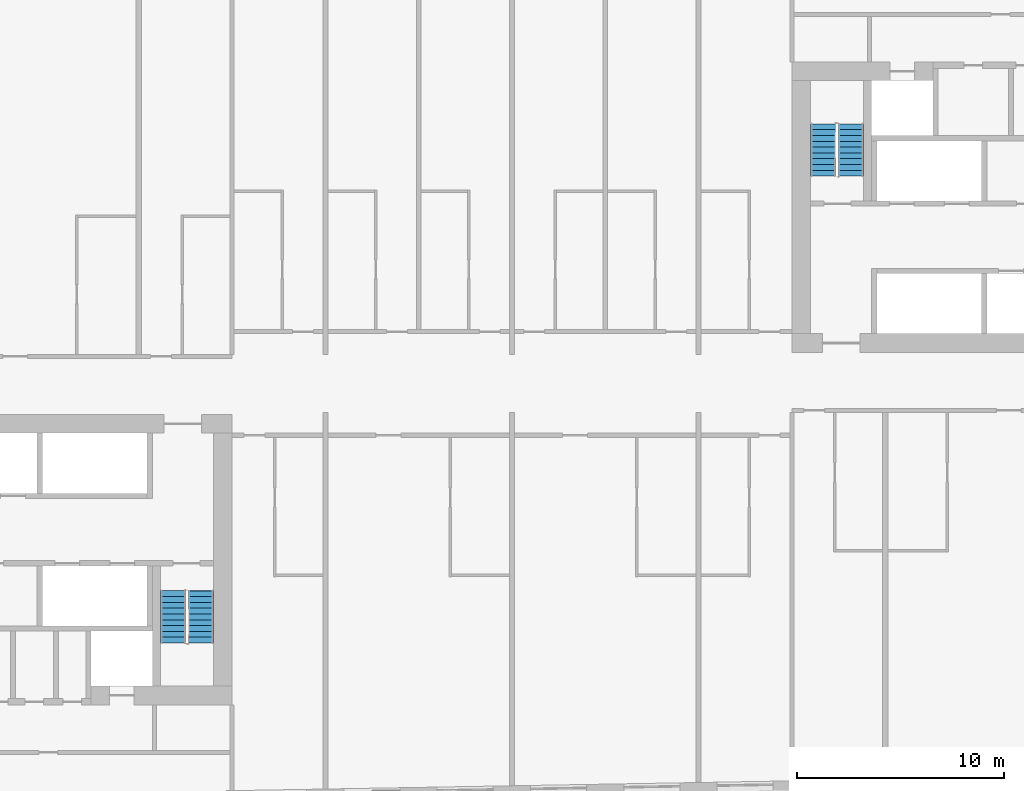
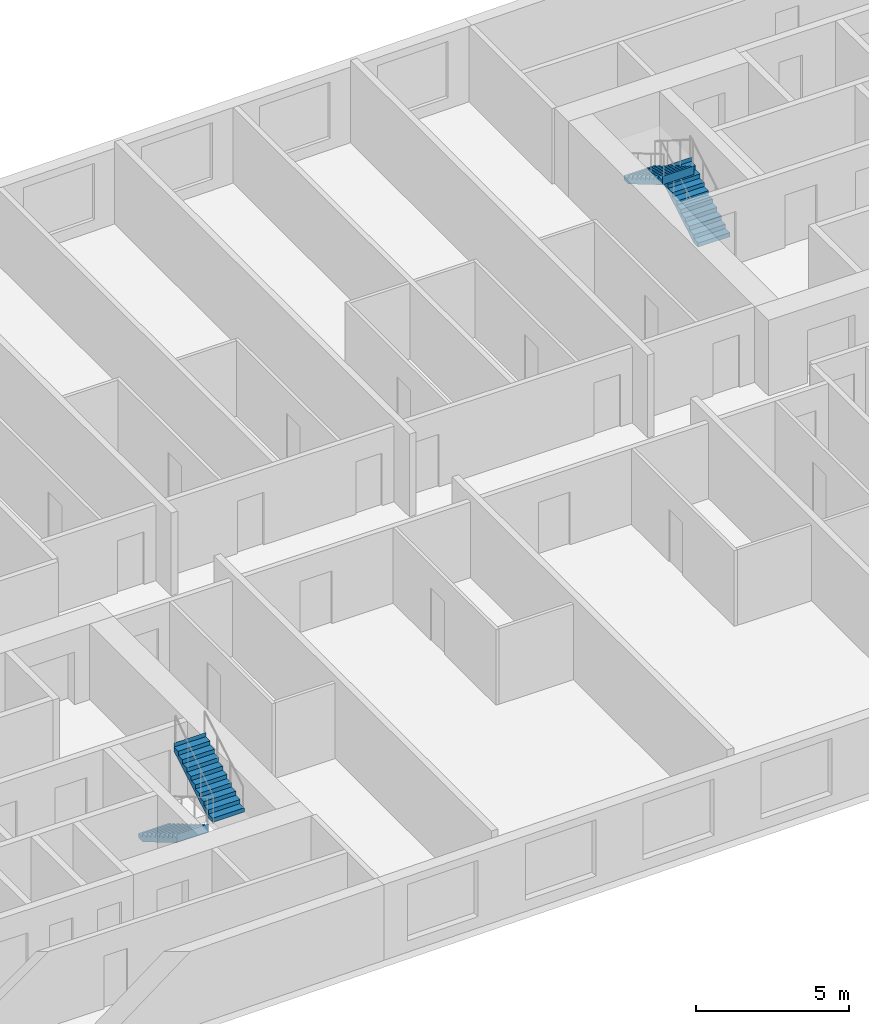
# One storey, part 9 of 11: 4 stair flights, 2 elements without a shape of their own.
"""IFC4 building model written with IfcOpenShell, lengths in metres."""

from ifc_helpers import new_model, si_unit, direction, frame, origin, place, context, subcontext, project, spatial, faceted_brep, material, type_object, element, aggregate, save


model = new_model("IFC4")

# Units and contexts
model_context = context("Model", 3, precision=1e-05, world=origin(), true_north=direction((0.0, 1.0)))
body_context = subcontext(model_context, "Body", "Model", "MODEL_VIEW")
ifc_project = project(units=[si_unit("LENGTHUNIT", "METRE"), si_unit("AREAUNIT", "SQUARE_METRE"), si_unit("VOLUMEUNIT", "CUBIC_METRE"), si_unit("PLANEANGLEUNIT", "RADIAN"), si_unit("MASSUNIT", "GRAM", prefix="KILO")], contexts=[model_context])

# Site, building, storey
site_placement = place(None, origin())
site = spatial("IfcSite", under=ifc_project, at=site_placement, CompositionType="ELEMENT")
building_placement = place(site_placement, origin())
building = spatial("IfcBuilding", under=site, at=building_placement, Name="Kajstack Hotel Tower", CompositionType="ELEMENT")
storey_placement = place(building_placement, frame((0.0, 0.0, 221.0)))
storey = spatial("IfcBuildingStorey", under=building, at=storey_placement, Name="L53", CompositionType="ELEMENT", Elevation=221.0)

# Stair, stair flights
ifc_material = material(Name="Concrete C40/50", Category="concrete")
stair_type = type_object("IfcStairType", Name="Exit stair 1200", PredefinedType="HALF_TURN_STAIR", material=ifc_material)
stair_1_placement = place(storey_placement, origin())
stair_1 = element("IfcStair", 1, at=stair_1_placement, inside=storey, type_object=stair_type, Name="L53 stair W2", PredefinedType="HALF_TURN_STAIR")
stair_flight_type = type_object("IfcStairFlightType", Name="Exit stair flight 1200", PredefinedType="STRAIGHT", material=ifc_material)
stair_flight_1_placement = place(storey_placement, frame((-16.35009765625, -10.0, 0.0), z_axis=(0.0, 0.0, 1.0), x_axis=(0.0, -1.0, 0.0)))
stair_flight_1 = element("IfcStairFlight", 2, at=stair_flight_1_placement, type_object=stair_flight_type, Name="W2 flight 1", NumberOfRisers=10, NumberOfTreads=9, PredefinedType="STRAIGHT", RiserHeight=0.165, TreadLength=0.28, context=body_context, shape_type="Brep", body=[
    faceted_brep([(0.295654296875, -0.60009765625, 0.0), (2.5205078125, -0.60009765625, 1.31103515625), (2.5205078125, -0.60009765625, 1.64990234375), (2.52001953125, -0.60009765625, 1.64990234375), (2.52001953125, -0.60009765625, 1.485107421875), (2.239990234375, -0.60009765625, 1.485107421875), (2.239990234375, -0.60009765625, 1.320068359375), (1.9599609375, -0.60009765625, 1.320068359375), (1.9599609375, -0.60009765625, 1.155029296875), (1.679931640625, -0.60009765625, 1.155029296875), (1.679931640625, -0.60009765625, 0.989990234375), (1.39990234375, -0.60009765625, 0.989990234375), (1.39990234375, -0.60009765625, 0.824951171875), (1.1201171875, -0.60009765625, 0.824951171875), (1.1201171875, -0.60009765625, 0.659912109375), (0.840087890625, -0.60009765625, 0.659912109375), (0.840087890625, -0.60009765625, 0.4951171875), (0.56005859375, -0.60009765625, 0.4951171875), (0.56005859375, -0.60009765625, 0.330078125), (0.280029296875, -0.60009765625, 0.330078125), (0.280029296875, -0.60009765625, 0.1650390625), (-0.00048828125, -0.60009765625, 0.1650390625), (-0.00048828125, -0.60009765625, 0.0), (-0.00048828125, 0.60009765625, 0.0), (-0.00048828125, 0.60009765625, 0.1650390625), (0.280029296875, 0.60009765625, 0.1650390625), (0.280029296875, 0.60009765625, 0.330078125), (0.56005859375, 0.60009765625, 0.330078125), (0.56005859375, 0.60009765625, 0.4951171875), (0.840087890625, 0.60009765625, 0.4951171875), (0.840087890625, 0.60009765625, 0.659912109375), (1.1201171875, 0.60009765625, 0.659912109375), (1.1201171875, 0.60009765625, 0.824951171875), (1.39990234375, 0.60009765625, 0.824951171875), (1.39990234375, 0.60009765625, 0.989990234375), (1.679931640625, 0.60009765625, 0.989990234375), (1.679931640625, 0.60009765625, 1.155029296875), (1.9599609375, 0.60009765625, 1.155029296875), (1.9599609375, 0.60009765625, 1.320068359375), (2.239990234375, 0.60009765625, 1.320068359375), (2.239990234375, 0.60009765625, 1.485107421875), (2.52001953125, 0.60009765625, 1.485107421875), (2.52001953125, 0.60009765625, 1.64990234375), (2.5205078125, 0.60009765625, 1.64990234375), (2.5205078125, 0.60009765625, 1.31103515625), (0.295654296875, 0.60009765625, 0.0), (-0.00048828125, -0.300048828125, 0.1650390625), (-0.00048828125, 0.0, 0.1650390625), (-0.00048828125, 0.300048828125, 0.1650390625), (-0.00048828125, 0.300048828125, 0.0), (-0.00048828125, 0.0, 0.0), (-0.00048828125, -0.300048828125, 0.0), (0.280029296875, -0.300048828125, 0.1650390625), (0.280029296875, 0.0, 0.1650390625), (0.280029296875, 0.300048828125, 0.1650390625), (0.280029296875, -0.300048828125, 0.330078125), (0.280029296875, 0.0, 0.330078125), (0.280029296875, 0.300048828125, 0.330078125), (0.56005859375, -0.300048828125, 0.330078125), (0.56005859375, 0.0, 0.330078125), (0.56005859375, 0.300048828125, 0.330078125), (0.56005859375, -0.300048828125, 0.4951171875), (0.56005859375, 0.0, 0.4951171875), (0.56005859375, 0.300048828125, 0.4951171875), (0.840087890625, -0.300048828125, 0.4951171875), (0.840087890625, 0.0, 0.4951171875), (0.840087890625, 0.300048828125, 0.4951171875), (0.840087890625, -0.300048828125, 0.659912109375), (0.840087890625, 0.0, 0.659912109375), (0.840087890625, 0.300048828125, 0.659912109375), (1.1201171875, -0.300048828125, 0.659912109375), (1.1201171875, 0.0, 0.659912109375), (1.1201171875, 0.300048828125, 0.659912109375), (1.1201171875, -0.300048828125, 0.824951171875), (1.1201171875, 0.0, 0.824951171875), (1.1201171875, 0.300048828125, 0.824951171875), (1.39990234375, -0.300048828125, 0.824951171875), (1.39990234375, 0.0, 0.824951171875), (1.39990234375, 0.300048828125, 0.824951171875), (1.39990234375, -0.300048828125, 0.989990234375), (1.39990234375, 0.0, 0.989990234375), (1.39990234375, 0.300048828125, 0.989990234375), (1.679931640625, -0.300048828125, 0.989990234375), (1.679931640625, 0.0, 0.989990234375), (1.679931640625, 0.300048828125, 0.989990234375), (1.679931640625, -0.300048828125, 1.155029296875), (1.679931640625, 0.0, 1.155029296875), (1.679931640625, 0.300048828125, 1.155029296875), (1.9599609375, -0.300048828125, 1.155029296875), (1.9599609375, 0.0, 1.155029296875), (1.9599609375, 0.300048828125, 1.155029296875), (1.9599609375, -0.300048828125, 1.320068359375), (1.9599609375, 0.0, 1.320068359375), (1.9599609375, 0.300048828125, 1.320068359375), (2.239990234375, -0.300048828125, 1.320068359375), (2.239990234375, 0.0, 1.320068359375), (2.239990234375, 0.300048828125, 1.320068359375), (2.239990234375, -0.300048828125, 1.485107421875), (2.239990234375, 0.0, 1.485107421875), (2.239990234375, 0.300048828125, 1.485107421875), (2.52001953125, -0.300048828125, 1.485107421875), (2.52001953125, 0.0, 1.485107421875), (2.52001953125, 0.300048828125, 1.485107421875), (2.52001953125, -0.300048828125, 1.64990234375), (2.52001953125, 0.0, 1.64990234375), (2.52001953125, 0.300048828125, 1.64990234375), (2.5205078125, -0.300048828125, 1.64990234375), (2.5205078125, 0.0, 1.64990234375), (2.5205078125, 0.300048828125, 1.64990234375), (2.5205078125, -0.300048828125, 1.31103515625), (2.5205078125, 0.0, 1.31103515625), (2.5205078125, 0.300048828125, 1.31103515625), (0.295654296875, -0.300048828125, 0.0), (0.295654296875, 0.0, 0.0), (0.295654296875, 0.300048828125, 0.0)], [[[0, 1, 2, 3, 4, 5, 6, 7, 8, 9, 10, 11, 12, 13, 14, 15, 16, 17, 18, 19, 20, 21, 22]], [[23, 24, 25, 26, 27, 28, 29, 30, 31, 32, 33, 34, 35, 36, 37, 38, 39, 40, 41, 42, 43, 44, 45]], [[21, 46, 47, 48, 24, 23, 49, 50, 51, 22]], [[20, 52, 53, 54, 25, 24, 48, 47, 46, 21]], [[19, 55, 56, 57, 26, 25, 54, 53, 52, 20]], [[18, 58, 59, 60, 27, 26, 57, 56, 55, 19]], [[17, 61, 62, 63, 28, 27, 60, 59, 58, 18]], [[16, 64, 65, 66, 29, 28, 63, 62, 61, 17]], [[15, 67, 68, 69, 30, 29, 66, 65, 64, 16]], [[14, 70, 71, 72, 31, 30, 69, 68, 67, 15]], [[13, 73, 74, 75, 32, 31, 72, 71, 70, 14]], [[12, 76, 77, 78, 33, 32, 75, 74, 73, 13]], [[11, 79, 80, 81, 34, 33, 78, 77, 76, 12]], [[10, 82, 83, 84, 35, 34, 81, 80, 79, 11]], [[9, 85, 86, 87, 36, 35, 84, 83, 82, 10]], [[8, 88, 89, 90, 37, 36, 87, 86, 85, 9]], [[7, 91, 92, 93, 38, 37, 90, 89, 88, 8]], [[6, 94, 95, 96, 39, 38, 93, 92, 91, 7]], [[5, 97, 98, 99, 40, 39, 96, 95, 94, 6]], [[4, 100, 101, 102, 41, 40, 99, 98, 97, 5]], [[3, 103, 104, 105, 42, 41, 102, 101, 100, 4]], [[2, 106, 107, 108, 43, 42, 105, 104, 103, 3]], [[1, 109, 110, 111, 44, 43, 108, 107, 106, 2]], [[0, 112, 113, 114, 45, 44, 111, 110, 109, 1]], [[22, 51, 50, 49, 23, 45, 114, 113, 112, 0]]]),
])
stair_flight_2_placement = place(storey_placement, frame((-15.0, -12.52001953125, 1.64990234375), z_axis=(0.0, 0.0, 1.0), x_axis=(0.0, 1.0, 0.0)))
stair_flight_2 = element("IfcStairFlight", 3, at=stair_flight_2_placement, type_object=stair_flight_type, Name="W2 flight 2", NumberOfRisers=10, NumberOfTreads=9, PredefinedType="STRAIGHT", RiserHeight=0.165, TreadLength=0.28, context=body_context, shape_type="Brep", body=[
    faceted_brep([(0.295654296875, -0.60009765625, 0.0), (2.5205078125, -0.60009765625, 1.31103515625), (2.5205078125, -0.60009765625, 1.64990234375), (2.52001953125, -0.60009765625, 1.64990234375), (2.52001953125, -0.60009765625, 1.485107421875), (2.239990234375, -0.60009765625, 1.485107421875), (2.239990234375, -0.60009765625, 1.320068359375), (1.9599609375, -0.60009765625, 1.320068359375), (1.9599609375, -0.60009765625, 1.155029296875), (1.679931640625, -0.60009765625, 1.155029296875), (1.679931640625, -0.60009765625, 0.989990234375), (1.39990234375, -0.60009765625, 0.989990234375), (1.39990234375, -0.60009765625, 0.824951171875), (1.1201171875, -0.60009765625, 0.824951171875), (1.1201171875, -0.60009765625, 0.659912109375), (0.840087890625, -0.60009765625, 0.659912109375), (0.840087890625, -0.60009765625, 0.4951171875), (0.56005859375, -0.60009765625, 0.4951171875), (0.56005859375, -0.60009765625, 0.330078125), (0.280029296875, -0.60009765625, 0.330078125), (0.280029296875, -0.60009765625, 0.1650390625), (-0.00048828125, -0.60009765625, 0.1650390625), (-0.00048828125, -0.60009765625, 0.0), (-0.00048828125, 0.60009765625, 0.0), (-0.00048828125, 0.60009765625, 0.1650390625), (0.280029296875, 0.60009765625, 0.1650390625), (0.280029296875, 0.60009765625, 0.330078125), (0.56005859375, 0.60009765625, 0.330078125), (0.56005859375, 0.60009765625, 0.4951171875), (0.840087890625, 0.60009765625, 0.4951171875), (0.840087890625, 0.60009765625, 0.659912109375), (1.1201171875, 0.60009765625, 0.659912109375), (1.1201171875, 0.60009765625, 0.824951171875), (1.39990234375, 0.60009765625, 0.824951171875), (1.39990234375, 0.60009765625, 0.989990234375), (1.679931640625, 0.60009765625, 0.989990234375), (1.679931640625, 0.60009765625, 1.155029296875), (1.9599609375, 0.60009765625, 1.155029296875), (1.9599609375, 0.60009765625, 1.320068359375), (2.239990234375, 0.60009765625, 1.320068359375), (2.239990234375, 0.60009765625, 1.485107421875), (2.52001953125, 0.60009765625, 1.485107421875), (2.52001953125, 0.60009765625, 1.64990234375), (2.5205078125, 0.60009765625, 1.64990234375), (2.5205078125, 0.60009765625, 1.31103515625), (0.295654296875, 0.60009765625, 0.0), (-0.00048828125, -0.300048828125, 0.1650390625), (-0.00048828125, 0.0, 0.1650390625), (-0.00048828125, 0.300048828125, 0.1650390625), (-0.00048828125, 0.300048828125, 0.0), (-0.00048828125, 0.0, 0.0), (-0.00048828125, -0.300048828125, 0.0), (0.280029296875, -0.300048828125, 0.1650390625), (0.280029296875, 0.0, 0.1650390625), (0.280029296875, 0.300048828125, 0.1650390625), (0.280029296875, -0.300048828125, 0.330078125), (0.280029296875, 0.0, 0.330078125), (0.280029296875, 0.300048828125, 0.330078125), (0.56005859375, -0.300048828125, 0.330078125), (0.56005859375, 0.0, 0.330078125), (0.56005859375, 0.300048828125, 0.330078125), (0.56005859375, -0.300048828125, 0.4951171875), (0.56005859375, 0.0, 0.4951171875), (0.56005859375, 0.300048828125, 0.4951171875), (0.840087890625, -0.300048828125, 0.4951171875), (0.840087890625, 0.0, 0.4951171875), (0.840087890625, 0.300048828125, 0.4951171875), (0.840087890625, -0.300048828125, 0.659912109375), (0.840087890625, 0.0, 0.659912109375), (0.840087890625, 0.300048828125, 0.659912109375), (1.1201171875, -0.300048828125, 0.659912109375), (1.1201171875, 0.0, 0.659912109375), (1.1201171875, 0.300048828125, 0.659912109375), (1.1201171875, -0.300048828125, 0.824951171875), (1.1201171875, 0.0, 0.824951171875), (1.1201171875, 0.300048828125, 0.824951171875), (1.39990234375, -0.300048828125, 0.824951171875), (1.39990234375, 0.0, 0.824951171875), (1.39990234375, 0.300048828125, 0.824951171875), (1.39990234375, -0.300048828125, 0.989990234375), (1.39990234375, 0.0, 0.989990234375), (1.39990234375, 0.300048828125, 0.989990234375), (1.679931640625, -0.300048828125, 0.989990234375), (1.679931640625, 0.0, 0.989990234375), (1.679931640625, 0.300048828125, 0.989990234375), (1.679931640625, -0.300048828125, 1.155029296875), (1.679931640625, 0.0, 1.155029296875), (1.679931640625, 0.300048828125, 1.155029296875), (1.9599609375, -0.300048828125, 1.155029296875), (1.9599609375, 0.0, 1.155029296875), (1.9599609375, 0.300048828125, 1.155029296875), (1.9599609375, -0.300048828125, 1.320068359375), (1.9599609375, 0.0, 1.320068359375), (1.9599609375, 0.300048828125, 1.320068359375), (2.239990234375, -0.300048828125, 1.320068359375), (2.239990234375, 0.0, 1.320068359375), (2.239990234375, 0.300048828125, 1.320068359375), (2.239990234375, -0.300048828125, 1.485107421875), (2.239990234375, 0.0, 1.485107421875), (2.239990234375, 0.300048828125, 1.485107421875), (2.52001953125, -0.300048828125, 1.485107421875), (2.52001953125, 0.0, 1.485107421875), (2.52001953125, 0.300048828125, 1.485107421875), (2.52001953125, -0.300048828125, 1.64990234375), (2.52001953125, 0.0, 1.64990234375), (2.52001953125, 0.300048828125, 1.64990234375), (2.5205078125, -0.300048828125, 1.64990234375), (2.5205078125, 0.0, 1.64990234375), (2.5205078125, 0.300048828125, 1.64990234375), (2.5205078125, -0.300048828125, 1.31103515625), (2.5205078125, 0.0, 1.31103515625), (2.5205078125, 0.300048828125, 1.31103515625), (0.295654296875, -0.300048828125, 0.0), (0.295654296875, 0.0, 0.0), (0.295654296875, 0.300048828125, 0.0)], [[[0, 1, 2, 3, 4, 5, 6, 7, 8, 9, 10, 11, 12, 13, 14, 15, 16, 17, 18, 19, 20, 21, 22]], [[23, 24, 25, 26, 27, 28, 29, 30, 31, 32, 33, 34, 35, 36, 37, 38, 39, 40, 41, 42, 43, 44, 45]], [[21, 46, 47, 48, 24, 23, 49, 50, 51, 22]], [[20, 52, 53, 54, 25, 24, 48, 47, 46, 21]], [[19, 55, 56, 57, 26, 25, 54, 53, 52, 20]], [[18, 58, 59, 60, 27, 26, 57, 56, 55, 19]], [[17, 61, 62, 63, 28, 27, 60, 59, 58, 18]], [[16, 64, 65, 66, 29, 28, 63, 62, 61, 17]], [[15, 67, 68, 69, 30, 29, 66, 65, 64, 16]], [[14, 70, 71, 72, 31, 30, 69, 68, 67, 15]], [[13, 73, 74, 75, 32, 31, 72, 71, 70, 14]], [[12, 76, 77, 78, 33, 32, 75, 74, 73, 13]], [[11, 79, 80, 81, 34, 33, 78, 77, 76, 12]], [[10, 82, 83, 84, 35, 34, 81, 80, 79, 11]], [[9, 85, 86, 87, 36, 35, 84, 83, 82, 10]], [[8, 88, 89, 90, 37, 36, 87, 86, 85, 9]], [[7, 91, 92, 93, 38, 37, 90, 89, 88, 8]], [[6, 94, 95, 96, 39, 38, 93, 92, 91, 7]], [[5, 97, 98, 99, 40, 39, 96, 95, 94, 6]], [[4, 100, 101, 102, 41, 40, 99, 98, 97, 5]], [[3, 103, 104, 105, 42, 41, 102, 101, 100, 4]], [[2, 106, 107, 108, 43, 42, 105, 104, 103, 3]], [[1, 109, 110, 111, 44, 43, 108, 107, 106, 2]], [[0, 112, 113, 114, 45, 44, 111, 110, 109, 1]], [[22, 51, 50, 49, 23, 45, 114, 113, 112, 0]]]),
])
aggregate(stair_1, [stair_flight_1, stair_flight_2])

stair_2_placement = place(storey_placement, origin())
stair_2 = element("IfcStair", 4, at=stair_2_placement, inside=storey, type_object=stair_type, Name="L53 stair E2", PredefinedType="HALF_TURN_STAIR")
stair_flight_3_placement = place(storey_placement, frame((16.35009765625, 10.0, 0.0), z_axis=(0.0, 0.0, 1.0), x_axis=(0.0, 1.0, 0.0)))
stair_flight_3 = element("IfcStairFlight", 5, at=stair_flight_3_placement, type_object=stair_flight_type, Name="E2 flight 1", NumberOfRisers=10, NumberOfTreads=9, PredefinedType="STRAIGHT", RiserHeight=0.165, TreadLength=0.28, context=body_context, shape_type="Brep", body=[
    faceted_brep([(0.295654296875, -0.60009765625, 0.0), (2.5205078125, -0.60009765625, 1.31103515625), (2.5205078125, -0.60009765625, 1.64990234375), (2.52001953125, -0.60009765625, 1.64990234375), (2.52001953125, -0.60009765625, 1.485107421875), (2.239990234375, -0.60009765625, 1.485107421875), (2.239990234375, -0.60009765625, 1.320068359375), (1.9599609375, -0.60009765625, 1.320068359375), (1.9599609375, -0.60009765625, 1.155029296875), (1.679931640625, -0.60009765625, 1.155029296875), (1.679931640625, -0.60009765625, 0.989990234375), (1.39990234375, -0.60009765625, 0.989990234375), (1.39990234375, -0.60009765625, 0.824951171875), (1.1201171875, -0.60009765625, 0.824951171875), (1.1201171875, -0.60009765625, 0.659912109375), (0.840087890625, -0.60009765625, 0.659912109375), (0.840087890625, -0.60009765625, 0.4951171875), (0.56005859375, -0.60009765625, 0.4951171875), (0.56005859375, -0.60009765625, 0.330078125), (0.280029296875, -0.60009765625, 0.330078125), (0.280029296875, -0.60009765625, 0.1650390625), (-0.00048828125, -0.60009765625, 0.1650390625), (-0.00048828125, -0.60009765625, 0.0), (-0.00048828125, 0.60009765625, 0.0), (-0.00048828125, 0.60009765625, 0.1650390625), (0.280029296875, 0.60009765625, 0.1650390625), (0.280029296875, 0.60009765625, 0.330078125), (0.56005859375, 0.60009765625, 0.330078125), (0.56005859375, 0.60009765625, 0.4951171875), (0.840087890625, 0.60009765625, 0.4951171875), (0.840087890625, 0.60009765625, 0.659912109375), (1.1201171875, 0.60009765625, 0.659912109375), (1.1201171875, 0.60009765625, 0.824951171875), (1.39990234375, 0.60009765625, 0.824951171875), (1.39990234375, 0.60009765625, 0.989990234375), (1.679931640625, 0.60009765625, 0.989990234375), (1.679931640625, 0.60009765625, 1.155029296875), (1.9599609375, 0.60009765625, 1.155029296875), (1.9599609375, 0.60009765625, 1.320068359375), (2.239990234375, 0.60009765625, 1.320068359375), (2.239990234375, 0.60009765625, 1.485107421875), (2.52001953125, 0.60009765625, 1.485107421875), (2.52001953125, 0.60009765625, 1.64990234375), (2.5205078125, 0.60009765625, 1.64990234375), (2.5205078125, 0.60009765625, 1.31103515625), (0.295654296875, 0.60009765625, 0.0), (-0.00048828125, -0.300048828125, 0.1650390625), (-0.00048828125, 0.0, 0.1650390625), (-0.00048828125, 0.300048828125, 0.1650390625), (-0.00048828125, 0.300048828125, 0.0), (-0.00048828125, 0.0, 0.0), (-0.00048828125, -0.300048828125, 0.0), (0.280029296875, -0.300048828125, 0.1650390625), (0.280029296875, 0.0, 0.1650390625), (0.280029296875, 0.300048828125, 0.1650390625), (0.280029296875, -0.300048828125, 0.330078125), (0.280029296875, 0.0, 0.330078125), (0.280029296875, 0.300048828125, 0.330078125), (0.56005859375, -0.300048828125, 0.330078125), (0.56005859375, 0.0, 0.330078125), (0.56005859375, 0.300048828125, 0.330078125), (0.56005859375, -0.300048828125, 0.4951171875), (0.56005859375, 0.0, 0.4951171875), (0.56005859375, 0.300048828125, 0.4951171875), (0.840087890625, -0.300048828125, 0.4951171875), (0.840087890625, 0.0, 0.4951171875), (0.840087890625, 0.300048828125, 0.4951171875), (0.840087890625, -0.300048828125, 0.659912109375), (0.840087890625, 0.0, 0.659912109375), (0.840087890625, 0.300048828125, 0.659912109375), (1.1201171875, -0.300048828125, 0.659912109375), (1.1201171875, 0.0, 0.659912109375), (1.1201171875, 0.300048828125, 0.659912109375), (1.1201171875, -0.300048828125, 0.824951171875), (1.1201171875, 0.0, 0.824951171875), (1.1201171875, 0.300048828125, 0.824951171875), (1.39990234375, -0.300048828125, 0.824951171875), (1.39990234375, 0.0, 0.824951171875), (1.39990234375, 0.300048828125, 0.824951171875), (1.39990234375, -0.300048828125, 0.989990234375), (1.39990234375, 0.0, 0.989990234375), (1.39990234375, 0.300048828125, 0.989990234375), (1.679931640625, -0.300048828125, 0.989990234375), (1.679931640625, 0.0, 0.989990234375), (1.679931640625, 0.300048828125, 0.989990234375), (1.679931640625, -0.300048828125, 1.155029296875), (1.679931640625, 0.0, 1.155029296875), (1.679931640625, 0.300048828125, 1.155029296875), (1.9599609375, -0.300048828125, 1.155029296875), (1.9599609375, 0.0, 1.155029296875), (1.9599609375, 0.300048828125, 1.155029296875), (1.9599609375, -0.300048828125, 1.320068359375), (1.9599609375, 0.0, 1.320068359375), (1.9599609375, 0.300048828125, 1.320068359375), (2.239990234375, -0.300048828125, 1.320068359375), (2.239990234375, 0.0, 1.320068359375), (2.239990234375, 0.300048828125, 1.320068359375), (2.239990234375, -0.300048828125, 1.485107421875), (2.239990234375, 0.0, 1.485107421875), (2.239990234375, 0.300048828125, 1.485107421875), (2.52001953125, -0.300048828125, 1.485107421875), (2.52001953125, 0.0, 1.485107421875), (2.52001953125, 0.300048828125, 1.485107421875), (2.52001953125, -0.300048828125, 1.64990234375), (2.52001953125, 0.0, 1.64990234375), (2.52001953125, 0.300048828125, 1.64990234375), (2.5205078125, -0.300048828125, 1.64990234375), (2.5205078125, 0.0, 1.64990234375), (2.5205078125, 0.300048828125, 1.64990234375), (2.5205078125, -0.300048828125, 1.31103515625), (2.5205078125, 0.0, 1.31103515625), (2.5205078125, 0.300048828125, 1.31103515625), (0.295654296875, -0.300048828125, 0.0), (0.295654296875, 0.0, 0.0), (0.295654296875, 0.300048828125, 0.0)], [[[0, 1, 2, 3, 4, 5, 6, 7, 8, 9, 10, 11, 12, 13, 14, 15, 16, 17, 18, 19, 20, 21, 22]], [[23, 24, 25, 26, 27, 28, 29, 30, 31, 32, 33, 34, 35, 36, 37, 38, 39, 40, 41, 42, 43, 44, 45]], [[21, 46, 47, 48, 24, 23, 49, 50, 51, 22]], [[20, 52, 53, 54, 25, 24, 48, 47, 46, 21]], [[19, 55, 56, 57, 26, 25, 54, 53, 52, 20]], [[18, 58, 59, 60, 27, 26, 57, 56, 55, 19]], [[17, 61, 62, 63, 28, 27, 60, 59, 58, 18]], [[16, 64, 65, 66, 29, 28, 63, 62, 61, 17]], [[15, 67, 68, 69, 30, 29, 66, 65, 64, 16]], [[14, 70, 71, 72, 31, 30, 69, 68, 67, 15]], [[13, 73, 74, 75, 32, 31, 72, 71, 70, 14]], [[12, 76, 77, 78, 33, 32, 75, 74, 73, 13]], [[11, 79, 80, 81, 34, 33, 78, 77, 76, 12]], [[10, 82, 83, 84, 35, 34, 81, 80, 79, 11]], [[9, 85, 86, 87, 36, 35, 84, 83, 82, 10]], [[8, 88, 89, 90, 37, 36, 87, 86, 85, 9]], [[7, 91, 92, 93, 38, 37, 90, 89, 88, 8]], [[6, 94, 95, 96, 39, 38, 93, 92, 91, 7]], [[5, 97, 98, 99, 40, 39, 96, 95, 94, 6]], [[4, 100, 101, 102, 41, 40, 99, 98, 97, 5]], [[3, 103, 104, 105, 42, 41, 102, 101, 100, 4]], [[2, 106, 107, 108, 43, 42, 105, 104, 103, 3]], [[1, 109, 110, 111, 44, 43, 108, 107, 106, 2]], [[0, 112, 113, 114, 45, 44, 111, 110, 109, 1]], [[22, 51, 50, 49, 23, 45, 114, 113, 112, 0]]]),
])
stair_flight_4_placement = place(storey_placement, frame((15.0, 12.52001953125, 1.64990234375), z_axis=(0.0, 0.0, 1.0), x_axis=(0.0, -1.0, 0.0)))
stair_flight_4 = element("IfcStairFlight", 6, at=stair_flight_4_placement, type_object=stair_flight_type, Name="E2 flight 2", NumberOfRisers=10, NumberOfTreads=9, PredefinedType="STRAIGHT", RiserHeight=0.165, TreadLength=0.28, context=body_context, shape_type="Brep", body=[
    faceted_brep([(0.295654296875, -0.60009765625, 0.0), (2.5205078125, -0.60009765625, 1.31103515625), (2.5205078125, -0.60009765625, 1.64990234375), (2.52001953125, -0.60009765625, 1.64990234375), (2.52001953125, -0.60009765625, 1.485107421875), (2.239990234375, -0.60009765625, 1.485107421875), (2.239990234375, -0.60009765625, 1.320068359375), (1.9599609375, -0.60009765625, 1.320068359375), (1.9599609375, -0.60009765625, 1.155029296875), (1.679931640625, -0.60009765625, 1.155029296875), (1.679931640625, -0.60009765625, 0.989990234375), (1.39990234375, -0.60009765625, 0.989990234375), (1.39990234375, -0.60009765625, 0.824951171875), (1.1201171875, -0.60009765625, 0.824951171875), (1.1201171875, -0.60009765625, 0.659912109375), (0.840087890625, -0.60009765625, 0.659912109375), (0.840087890625, -0.60009765625, 0.4951171875), (0.56005859375, -0.60009765625, 0.4951171875), (0.56005859375, -0.60009765625, 0.330078125), (0.280029296875, -0.60009765625, 0.330078125), (0.280029296875, -0.60009765625, 0.1650390625), (-0.00048828125, -0.60009765625, 0.1650390625), (-0.00048828125, -0.60009765625, 0.0), (-0.00048828125, 0.60009765625, 0.0), (-0.00048828125, 0.60009765625, 0.1650390625), (0.280029296875, 0.60009765625, 0.1650390625), (0.280029296875, 0.60009765625, 0.330078125), (0.56005859375, 0.60009765625, 0.330078125), (0.56005859375, 0.60009765625, 0.4951171875), (0.840087890625, 0.60009765625, 0.4951171875), (0.840087890625, 0.60009765625, 0.659912109375), (1.1201171875, 0.60009765625, 0.659912109375), (1.1201171875, 0.60009765625, 0.824951171875), (1.39990234375, 0.60009765625, 0.824951171875), (1.39990234375, 0.60009765625, 0.989990234375), (1.679931640625, 0.60009765625, 0.989990234375), (1.679931640625, 0.60009765625, 1.155029296875), (1.9599609375, 0.60009765625, 1.155029296875), (1.9599609375, 0.60009765625, 1.320068359375), (2.239990234375, 0.60009765625, 1.320068359375), (2.239990234375, 0.60009765625, 1.485107421875), (2.52001953125, 0.60009765625, 1.485107421875), (2.52001953125, 0.60009765625, 1.64990234375), (2.5205078125, 0.60009765625, 1.64990234375), (2.5205078125, 0.60009765625, 1.31103515625), (0.295654296875, 0.60009765625, 0.0), (-0.00048828125, -0.300048828125, 0.1650390625), (-0.00048828125, 0.0, 0.1650390625), (-0.00048828125, 0.300048828125, 0.1650390625), (-0.00048828125, 0.300048828125, 0.0), (-0.00048828125, 0.0, 0.0), (-0.00048828125, -0.300048828125, 0.0), (0.280029296875, -0.300048828125, 0.1650390625), (0.280029296875, 0.0, 0.1650390625), (0.280029296875, 0.300048828125, 0.1650390625), (0.280029296875, -0.300048828125, 0.330078125), (0.280029296875, 0.0, 0.330078125), (0.280029296875, 0.300048828125, 0.330078125), (0.56005859375, -0.300048828125, 0.330078125), (0.56005859375, 0.0, 0.330078125), (0.56005859375, 0.300048828125, 0.330078125), (0.56005859375, -0.300048828125, 0.4951171875), (0.56005859375, 0.0, 0.4951171875), (0.56005859375, 0.300048828125, 0.4951171875), (0.840087890625, -0.300048828125, 0.4951171875), (0.840087890625, 0.0, 0.4951171875), (0.840087890625, 0.300048828125, 0.4951171875), (0.840087890625, -0.300048828125, 0.659912109375), (0.840087890625, 0.0, 0.659912109375), (0.840087890625, 0.300048828125, 0.659912109375), (1.1201171875, -0.300048828125, 0.659912109375), (1.1201171875, 0.0, 0.659912109375), (1.1201171875, 0.300048828125, 0.659912109375), (1.1201171875, -0.300048828125, 0.824951171875), (1.1201171875, 0.0, 0.824951171875), (1.1201171875, 0.300048828125, 0.824951171875), (1.39990234375, -0.300048828125, 0.824951171875), (1.39990234375, 0.0, 0.824951171875), (1.39990234375, 0.300048828125, 0.824951171875), (1.39990234375, -0.300048828125, 0.989990234375), (1.39990234375, 0.0, 0.989990234375), (1.39990234375, 0.300048828125, 0.989990234375), (1.679931640625, -0.300048828125, 0.989990234375), (1.679931640625, 0.0, 0.989990234375), (1.679931640625, 0.300048828125, 0.989990234375), (1.679931640625, -0.300048828125, 1.155029296875), (1.679931640625, 0.0, 1.155029296875), (1.679931640625, 0.300048828125, 1.155029296875), (1.9599609375, -0.300048828125, 1.155029296875), (1.9599609375, 0.0, 1.155029296875), (1.9599609375, 0.300048828125, 1.155029296875), (1.9599609375, -0.300048828125, 1.320068359375), (1.9599609375, 0.0, 1.320068359375), (1.9599609375, 0.300048828125, 1.320068359375), (2.239990234375, -0.300048828125, 1.320068359375), (2.239990234375, 0.0, 1.320068359375), (2.239990234375, 0.300048828125, 1.320068359375), (2.239990234375, -0.300048828125, 1.485107421875), (2.239990234375, 0.0, 1.485107421875), (2.239990234375, 0.300048828125, 1.485107421875), (2.52001953125, -0.300048828125, 1.485107421875), (2.52001953125, 0.0, 1.485107421875), (2.52001953125, 0.300048828125, 1.485107421875), (2.52001953125, -0.300048828125, 1.64990234375), (2.52001953125, 0.0, 1.64990234375), (2.52001953125, 0.300048828125, 1.64990234375), (2.5205078125, -0.300048828125, 1.64990234375), (2.5205078125, 0.0, 1.64990234375), (2.5205078125, 0.300048828125, 1.64990234375), (2.5205078125, -0.300048828125, 1.31103515625), (2.5205078125, 0.0, 1.31103515625), (2.5205078125, 0.300048828125, 1.31103515625), (0.295654296875, -0.300048828125, 0.0), (0.295654296875, 0.0, 0.0), (0.295654296875, 0.300048828125, 0.0)], [[[0, 1, 2, 3, 4, 5, 6, 7, 8, 9, 10, 11, 12, 13, 14, 15, 16, 17, 18, 19, 20, 21, 22]], [[23, 24, 25, 26, 27, 28, 29, 30, 31, 32, 33, 34, 35, 36, 37, 38, 39, 40, 41, 42, 43, 44, 45]], [[21, 46, 47, 48, 24, 23, 49, 50, 51, 22]], [[20, 52, 53, 54, 25, 24, 48, 47, 46, 21]], [[19, 55, 56, 57, 26, 25, 54, 53, 52, 20]], [[18, 58, 59, 60, 27, 26, 57, 56, 55, 19]], [[17, 61, 62, 63, 28, 27, 60, 59, 58, 18]], [[16, 64, 65, 66, 29, 28, 63, 62, 61, 17]], [[15, 67, 68, 69, 30, 29, 66, 65, 64, 16]], [[14, 70, 71, 72, 31, 30, 69, 68, 67, 15]], [[13, 73, 74, 75, 32, 31, 72, 71, 70, 14]], [[12, 76, 77, 78, 33, 32, 75, 74, 73, 13]], [[11, 79, 80, 81, 34, 33, 78, 77, 76, 12]], [[10, 82, 83, 84, 35, 34, 81, 80, 79, 11]], [[9, 85, 86, 87, 36, 35, 84, 83, 82, 10]], [[8, 88, 89, 90, 37, 36, 87, 86, 85, 9]], [[7, 91, 92, 93, 38, 37, 90, 89, 88, 8]], [[6, 94, 95, 96, 39, 38, 93, 92, 91, 7]], [[5, 97, 98, 99, 40, 39, 96, 95, 94, 6]], [[4, 100, 101, 102, 41, 40, 99, 98, 97, 5]], [[3, 103, 104, 105, 42, 41, 102, 101, 100, 4]], [[2, 106, 107, 108, 43, 42, 105, 104, 103, 3]], [[1, 109, 110, 111, 44, 43, 108, 107, 106, 2]], [[0, 112, 113, 114, 45, 44, 111, 110, 109, 1]], [[22, 51, 50, 49, 23, 45, 114, 113, 112, 0]]]),
])
aggregate(stair_2, [stair_flight_3, stair_flight_4])

save(model, "model.ifc")
